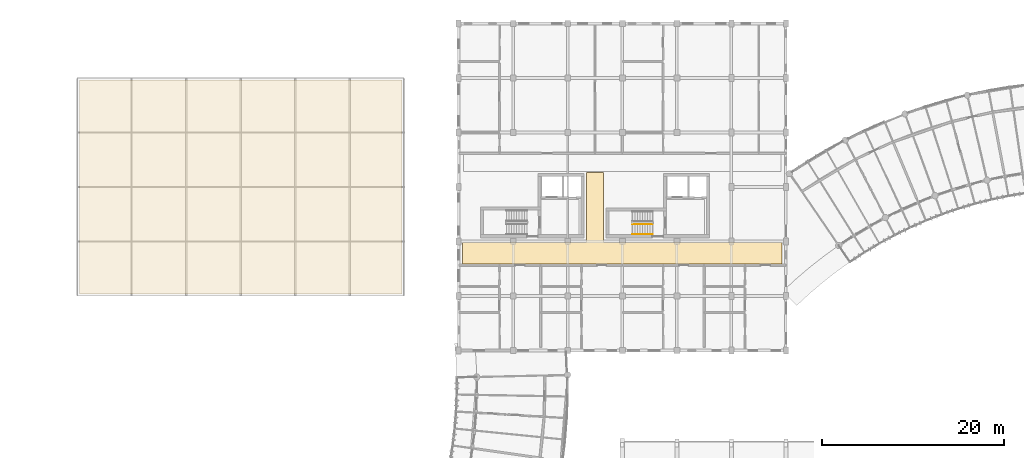
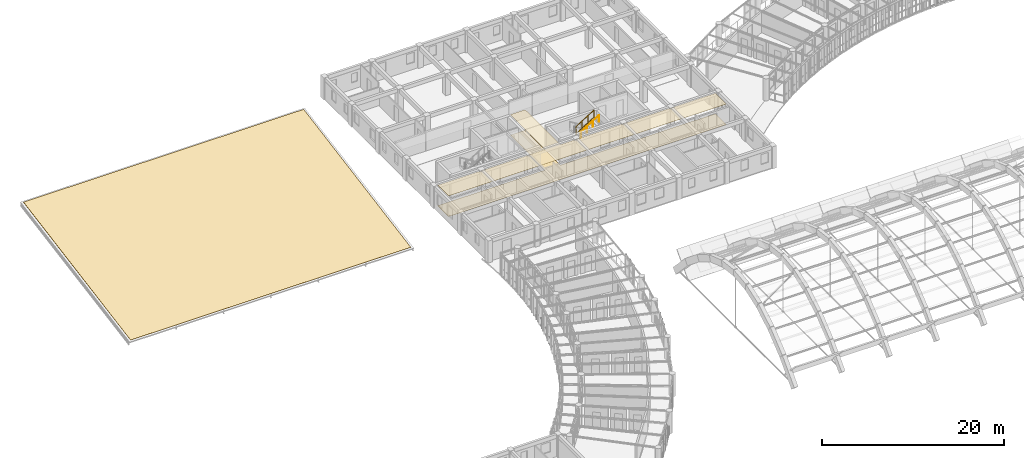
# One storey, part 117 of 123: 3 coverings, 2 railings, 1 element without a shape of its own.
"""IFC4 building model written with IfcOpenShell, lengths in metres."""

from ifc_helpers import new_model, si_unit, direction, frame, origin, origin_2d, place, context, subcontext, project, spatial, polyline, circle, outline, extrude, material, layer, layer_set, type_object, element, aggregate, save


model = new_model("IFC4")

# Units and contexts
model_context = context("Model", 3, precision=1e-05, world=origin(), true_north=direction((0.0, 1.0)))
body_context = subcontext(model_context, "Body", "Model", "MODEL_VIEW")
ifc_project = project(units=[si_unit("LENGTHUNIT", "METRE"), si_unit("AREAUNIT", "SQUARE_METRE"), si_unit("VOLUMEUNIT", "CUBIC_METRE"), si_unit("PLANEANGLEUNIT", "RADIAN"), si_unit("MASSUNIT", "GRAM", prefix="KILO"), si_unit("POWERUNIT", "WATT"), si_unit("THERMODYNAMICTEMPERATUREUNIT", "KELVIN")], contexts=[model_context])

# Site, building, storey
site_placement = place(None, origin())
site = spatial("IfcSite", under=ifc_project, at=site_placement, CompositionType="ELEMENT")
building_placement = place(site_placement, origin())
building = spatial("IfcBuilding", under=site, at=building_placement, Name="Ruvembo Vaulted Housing Court", CompositionType="ELEMENT")
storey_placement = place(building_placement, frame((0.0, 0.0, 7.699951171875)))
storey = spatial("IfcBuildingStorey", under=building, at=storey_placement, Name="L02", CompositionType="ELEMENT", Elevation=7.699951171875)

# Coverings
ifc_material_1 = material(Name="Perforated Mineral-Fibre Acoustic Tile", Category="gypsum")
ifc_layer_1 = layer(ifc_material_1, 0.02001953125, Name="Perforated Mineral-Fibre Acoustic Tile")
ifc_layer_set_1 = layer_set([ifc_layer_1], Name="Perforated Mineral-Fibre Acoustic Tile")
covering_type_1 = type_object("IfcCoveringType", Name="COV-CEIL-ACOUST", PredefinedType="CEILING", material=ifc_layer_set_1)
covering_1_placement = place(storey_placement, frame((0.0, 0.0, 2.75)))
element("IfcCovering", 1, at=covering_1_placement, inside=storey, type_object=covering_type_1, Name="Block B L02 Corridor Ceiling", PredefinedType="CEILING", context=body_context, shape_type="SweptSolid", body=[
    extrude(outline(polyline([(83.590087890625, 87.510009765625), (83.590087890625, 89.889892578125), (64.050048828125, 89.889892578125), (64.039306640625, 89.890380859375), (64.028564453125, 89.89208984375), (64.01806640625, 89.894775390625), (64.0078125, 89.8984375), (63.998046875, 89.903076171875), (63.989013671875, 89.908447265625), (63.980224609375, 89.9150390625), (63.97216796875, 89.922119140625), (63.965087890625, 89.93017578125), (63.95849609375, 89.93896484375), (63.952880859375, 89.947998046875), (63.948486328125, 89.9580078125), (63.944580078125, 89.968017578125), (63.942138671875, 89.978515625), (63.9404296875, 89.9892578125), (63.93994140625, 90.0), (63.93994140625, 97.590087890625), (62.06005859375, 97.590087890625), (62.06005859375, 90.0), (62.0595703125, 89.9892578125), (62.057861328125, 89.978515625), (62.055419921875, 89.968017578125), (62.051513671875, 89.9580078125), (62.047119140625, 89.947998046875), (62.04150390625, 89.93896484375), (62.034912109375, 89.93017578125), (62.02783203125, 89.922119140625), (62.019775390625, 89.9150390625), (62.010986328125, 89.908447265625), (62.001953125, 89.903076171875), (61.9921875, 89.8984375), (61.98193359375, 89.894775390625), (61.971435546875, 89.89208984375), (61.960693359375, 89.890380859375), (61.949951171875, 89.889892578125), (48.409912109375, 89.889892578125), (48.409912109375, 87.510009765625), (83.590087890625, 87.510009765625)])), origin(), (0.0, 0.0, 1.0), 0.02001953125),
])
ifc_material_2 = material(Name="Polished Cement-Aggregate Terrazzo", Category="stone")
ifc_layer_2 = layer(ifc_material_2, 0.02197265625, Name="Polished Cement-Aggregate Terrazzo")
ifc_layer_set_2 = layer_set([ifc_layer_2], Name="Polished Cement-Aggregate Terrazzo")
covering_type_2 = type_object("IfcCoveringType", Name="COV-FLR-CERAMIC", PredefinedType="FLOORING", material=ifc_layer_set_2)
covering_2_placement = place(storey_placement, origin())
element("IfcCovering", 2, at=covering_2_placement, inside=storey, type_object=covering_type_2, Name="Block B L02 Corridor Flooring", PredefinedType="FLOORING", context=body_context, shape_type="SweptSolid", body=[
    extrude(outline(polyline([(83.590087890625, 87.510009765625), (83.590087890625, 89.889892578125), (64.050048828125, 89.889892578125), (64.039306640625, 89.890380859375), (64.028564453125, 89.89208984375), (64.01806640625, 89.894775390625), (64.0078125, 89.8984375), (63.998046875, 89.903076171875), (63.989013671875, 89.908447265625), (63.980224609375, 89.9150390625), (63.97216796875, 89.922119140625), (63.965087890625, 89.93017578125), (63.95849609375, 89.93896484375), (63.952880859375, 89.947998046875), (63.948486328125, 89.9580078125), (63.944580078125, 89.968017578125), (63.942138671875, 89.978515625), (63.9404296875, 89.9892578125), (63.93994140625, 90.0), (63.93994140625, 97.590087890625), (62.06005859375, 97.590087890625), (62.06005859375, 90.0), (62.0595703125, 89.9892578125), (62.057861328125, 89.978515625), (62.055419921875, 89.968017578125), (62.051513671875, 89.9580078125), (62.047119140625, 89.947998046875), (62.04150390625, 89.93896484375), (62.034912109375, 89.93017578125), (62.02783203125, 89.922119140625), (62.019775390625, 89.9150390625), (62.010986328125, 89.908447265625), (62.001953125, 89.903076171875), (61.9921875, 89.8984375), (61.98193359375, 89.894775390625), (61.971435546875, 89.89208984375), (61.960693359375, 89.890380859375), (61.949951171875, 89.889892578125), (48.409912109375, 89.889892578125), (48.409912109375, 87.510009765625), (83.590087890625, 87.510009765625)])), origin(), (0.0, 0.0, 1.0), 0.02197265625),
])

# Roof, covering
ifc_material_3 = material(Name="Concrete C30/37", Category="concrete")
ifc_layer_3 = layer(ifc_material_3, 0.159912109375, Name="Concrete C30/37")
ifc_layer_set_3 = layer_set([ifc_layer_3], Name="Concrete C30/37")
roof_type = type_object("IfcRoofType", Name="ROOF-SHED-NURS", PredefinedType="SHED_ROOF", material=ifc_layer_set_3)
roof_placement = place(storey_placement, origin())
roof = element("IfcRoof", 3, at=roof_placement, inside=storey, type_object=roof_type, Name="ECD Nursery Sloped Planted Roof NR-1", PredefinedType="SHED_ROOF")
ifc_material_4 = material(Name="TPO Waterproofing and Terracotta Tile", Category="masonry")
ifc_layer_4 = layer(ifc_material_4, 0.044921875, Name="TPO Waterproofing and Terracotta Tile")
ifc_layer_set_4 = layer_set([ifc_layer_4], Name="TPO Waterproofing and Terracotta Tile")
covering_type_3 = type_object("IfcCoveringType", Name="COV-ROOF-MEMB", PredefinedType="ROOFING", material=ifc_layer_set_4)
covering_3_placement = place(storey_placement, frame((6.25, 84.25, 0.205078125), z_axis=(0.0, -0.17722153106, 0.984170985616), x_axis=(1.0, 0.0, 0.0)))
covering_3 = element("IfcCovering", 4, at=covering_3_placement, type_object=covering_type_3, Name="ECD Nursery Sloped Roof Waterproofing Membrane", PredefinedType="ROOFING", context=body_context, shape_type="SweptSolid", body=[
    extrude(outline(polyline([(0.0, 0.0), (35.5, 0.0), (35.5, 23.87796464583381), (0.0, 23.87796464583381), (0.0, 0.0)])), origin(), (0.0, 0.0, -1.0), 0.044921875),
])
aggregate(roof, [covering_3])

# Railings
ifc_material_5 = material(Name="Painted Galvanised Steel S275", Category="steel")
ifc_layer_5 = layer(ifc_material_5, 0.06005859375, Name="Painted Galvanised Steel S275")
ifc_layer_set_5 = layer_set([ifc_layer_5], Name="Painted Galvanised Steel S275")
railing_type_1 = type_object("IfcRailingType", Name="RL-STAIR-GR1100", PredefinedType="GUARDRAIL", material=ifc_layer_set_5)
railing_1_placement = place(storey_placement, frame((67.110107421875, 91.89990234375, 1.77783203125)))
element("IfcRailing", 5, at=railing_1_placement, inside=storey, type_object=railing_type_1, Name="L02 ST-B2 stair guard 3", PredefinedType="GUARDRAIL", context=body_context, shape_type="SweptSolid", body=[
    extrude(circle(Radius=0.02392578125, at=origin_2d()), frame((0.0, 0.0, 1.076171875), z_axis=(0.8442293374, 0.0, 0.53598211339), x_axis=(0.0, 1.0, 0.0)), (0.0, 0.0, 1.0), 2.6533203125),
    extrude(circle(Radius=0.01806640625, at=origin_2d()), frame((0.0, 0.0, 0.1201171875), z_axis=(0.8442293374, 0.0, 0.53598211339), x_axis=(0.0, 1.0, 0.0)), (0.0, 0.0, 1.0), 2.6533203125),
    extrude(circle(Radius=0.02099609375, at=origin_2d()), origin(), (0.0, 0.0, 1.0), 1.052001953125),
    extrude(circle(Radius=0.02099609375, at=origin_2d()), frame((0.74658203125, 0.0, 0.47412109375)), (0.0, 0.0, 1.0), 1.052001953125),
    extrude(circle(Radius=0.02099609375, at=origin_2d()), frame((1.493408203125, 0.0, 0.947998046875)), (0.0, 0.0, 1.0), 1.052001953125),
    extrude(circle(Radius=0.02099609375, at=origin_2d()), frame((2.239990234375, 0.0, 1.422119140625)), (0.0, 0.0, 1.0), 1.052001953125),
])
ifc_material_6 = material(Name="Brushed Stainless Steel 304", Category="steel")
ifc_layer_6 = layer(ifc_material_6, 0.050048828125, Name="Brushed Stainless Steel 304")
ifc_layer_set_6 = layer_set([ifc_layer_6], Name="Brushed Stainless Steel 304")
railing_type_2 = type_object("IfcRailingType", Name="RL-STAIR-HR920", PredefinedType="HANDRAIL", material=ifc_layer_set_6)
railing_2_placement = place(storey_placement, frame((67.110107421875, 90.800048828125, 1.959228515625)))
element("IfcRailing", 6, at=railing_2_placement, inside=storey, type_object=railing_type_2, Name="L02 ST-B2 stair handrail 2", PredefinedType="HANDRAIL", context=body_context, shape_type="SweptSolid", body=[
    extrude(circle(Radius=0.02392578125, at=origin_2d()), frame((0.0, 0.0, 0.8759765625), z_axis=(0.84418770128, 0.0, 0.536047689118), x_axis=(0.0, 1.0, 0.0)), (0.0, 0.0, 1.0), 2.6533203125),
    extrude(circle(Radius=0.02099609375, at=origin_2d()), origin(), (0.0, 0.0, 1.0), 0.851806640625),
    extrude(circle(Radius=0.02099609375, at=origin_2d()), frame((0.74658203125, 0.0, 0.47412109375)), (0.0, 0.0, 1.0), 0.851806640625),
    extrude(circle(Radius=0.02099609375, at=origin_2d()), frame((1.493408203125, 0.0, 0.9482421875)), (0.0, 0.0, 1.0), 0.851806640625),
    extrude(circle(Radius=0.02099609375, at=origin_2d()), frame((2.239990234375, 0.0, 1.42236328125)), (0.0, 0.0, 1.0), 0.851806640625),
])

save(model, "model.ifc")
